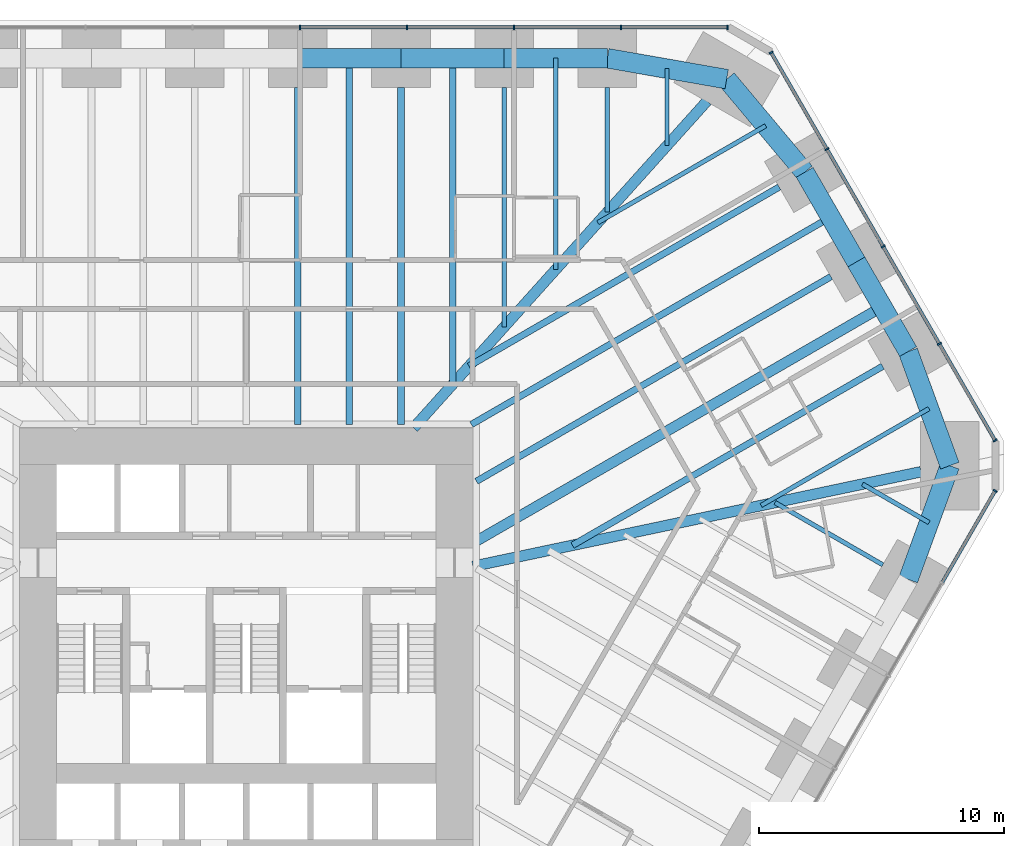
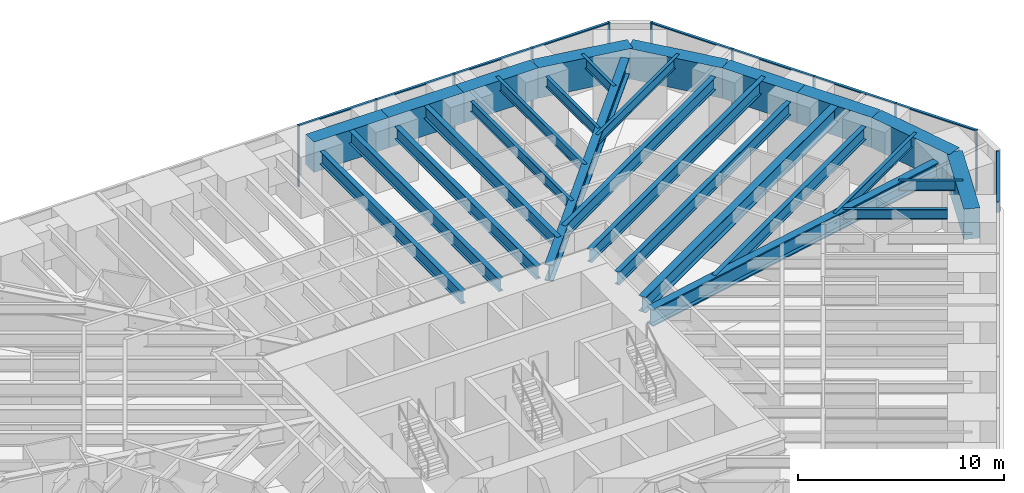
# One storey, part 9 of 17: 28 beams, 20 members, 3 elements without a shape of their own.
"""IFC4 building model written with IfcOpenShell, lengths in metres."""

from ifc_helpers import new_model, si_unit, direction, frame, origin, origin_2d, place, context, subcontext, project, spatial, rectangle, i_section, extrude, material, material_profile, profile_set, type_object, element, aggregate, save


model = new_model("IFC4")

# Units and contexts
model_context = context("Model", 3, precision=1e-05, world=origin(), true_north=direction((0.0, 1.0)))
body_context = subcontext(model_context, "Body", "Model", "MODEL_VIEW")
ifc_project = project(units=[si_unit("LENGTHUNIT", "METRE"), si_unit("AREAUNIT", "SQUARE_METRE"), si_unit("VOLUMEUNIT", "CUBIC_METRE"), si_unit("PLANEANGLEUNIT", "RADIAN"), si_unit("MASSUNIT", "GRAM", prefix="KILO")], contexts=[model_context])

# Site, building, storey
site_placement = place(None, origin())
site = spatial("IfcSite", under=ifc_project, at=site_placement, CompositionType="ELEMENT")
building_placement = place(site_placement, origin())
building = spatial("IfcBuilding", under=site, at=building_placement, Name="Sandreach Pilgrim Tower", CompositionType="ELEMENT")
storey_placement = place(building_placement, frame((0.0, 0.0, 53.39990234375)))
storey = spatial("IfcBuildingStorey", under=building, at=storey_placement, Name="L12", CompositionType="ELEMENT", Elevation=53.39990234375)

# Curtain wall, members
ifc_material_1 = material(Name="Aluminium framed curtain wall", Category="aluminium")
curtain_wall_type = type_object("IfcCurtainWallType", Name="Hostel tower curtain wall", PredefinedType="NOTDEFINED", material=ifc_material_1)
curtain_wall_1_placement = place(storey_placement, origin())
curtain_wall_1 = element("IfcCurtainWall", 1, at=curtain_wall_1_placement, inside=storey, type_object=curtain_wall_type, Name="CW-1 L12 N", PredefinedType="NOTDEFINED")
ifc_material_2 = material(Name="Aluminium extrusion", Category="aluminium")
ifc_material_profile_1 = material_profile(ifc_material_2, rectangle(XDim=0.06494140625, YDim=0.179931640625, at=origin_2d()), Name="CW-1M 65X180")
ifc_profile_set_1 = profile_set([ifc_material_profile_1], Name="Aluminium extrusion")
member_type_1 = type_object("IfcMemberType", Name="CW-1 mullion", PredefinedType="MULLION", material=ifc_profile_set_1)
member_1_placement = place(storey_placement, frame((2.185791015625, 23.94873046875, 0.0), z_axis=(0.0, 0.0, 1.0), x_axis=(1.0, 0.0, 0.0)))
member_1 = element("IfcMember", 2, at=member_1_placement, type_object=member_type_1, Name="CW-1 mullion 6", PredefinedType="MULLION", context=body_context, shape_type="SweptSolid", body=[
    extrude(rectangle(XDim=0.06494140625, YDim=0.179931640625, at=origin_2d()), origin(), (0.0, 0.0, 1.0), 3.64013671875),
])
member_2_placement = place(storey_placement, frame((6.557373046875, 23.94873046875, 0.0), z_axis=(0.0, 0.0, 1.0), x_axis=(1.0, 0.0, 0.0)))
member_2 = element("IfcMember", 3, at=member_2_placement, type_object=member_type_1, Name="CW-1 mullion 7", PredefinedType="MULLION", context=body_context, shape_type="SweptSolid", body=[
    extrude(rectangle(XDim=0.06494140625, YDim=0.179931640625, at=origin_2d()), origin(), (0.0, 0.0, 1.0), 3.64013671875),
])
member_3_placement = place(storey_placement, frame((10.928955078125, 23.94873046875, 0.0), z_axis=(0.0, 0.0, 1.0), x_axis=(1.0, 0.0, 0.0)))
member_3 = element("IfcMember", 4, at=member_3_placement, type_object=member_type_1, Name="CW-1 mullion 8", PredefinedType="MULLION", context=body_context, shape_type="SweptSolid", body=[
    extrude(rectangle(XDim=0.06494140625, YDim=0.179931640625, at=origin_2d()), origin(), (0.0, 0.0, 1.0), 3.64013671875),
])
member_4_placement = place(storey_placement, frame((15.300537109375, 23.94873046875, 0.0), z_axis=(0.0, 0.0, 1.0), x_axis=(1.0, 0.0, 0.0)))
member_4 = element("IfcMember", 5, at=member_4_placement, type_object=member_type_1, Name="CW-1 mullion 9", PredefinedType="MULLION", context=body_context, shape_type="SweptSolid", body=[
    extrude(rectangle(XDim=0.06494140625, YDim=0.179931640625, at=origin_2d()), origin(), (0.0, 0.0, 1.0), 3.64013671875),
])
member_5_placement = place(storey_placement, frame((19.6396484375, 23.94873046875, 0.0), z_axis=(0.0, 0.0, 1.0), x_axis=(1.0, 0.0, 0.0)))
member_5 = element("IfcMember", 6, at=member_5_placement, type_object=member_type_1, Name="CW-1 mullion 10", PredefinedType="MULLION", context=body_context, shape_type="SweptSolid", body=[
    extrude(rectangle(XDim=0.06494140625, YDim=0.179931640625, at=origin_2d()), origin(), (0.0, 0.0, 1.0), 3.64013671875),
])

curtain_wall_2_placement = place(storey_placement, origin())
curtain_wall_2 = element("IfcCurtainWall", 7, at=curtain_wall_2_placement, inside=storey, type_object=curtain_wall_type, Name="CW-1 L12 NE", PredefinedType="NOTDEFINED")
member_6_placement = place(storey_placement, frame((21.42041015625, 22.920654296875, 0.0), z_axis=(0.0, 0.0, 1.0), x_axis=(0.5, -0.866025403784, 0.0)))
member_6 = element("IfcMember", 8, at=member_6_placement, type_object=member_type_1, Name="CW-1 mullion 1", PredefinedType="MULLION", context=body_context, shape_type="SweptSolid", body=[
    extrude(rectangle(XDim=0.06494140625, YDim=0.179931640625, at=origin_2d()), origin(), (0.0, 0.0, 1.0), 3.64013671875),
])
member_7_placement = place(storey_placement, frame((23.697265625, 18.97705078125, 0.0), z_axis=(0.0, 0.0, 1.0), x_axis=(0.5, -0.866025403784, 0.0)))
member_7 = element("IfcMember", 9, at=member_7_placement, type_object=member_type_1, Name="CW-1 mullion 2", PredefinedType="MULLION", context=body_context, shape_type="SweptSolid", body=[
    extrude(rectangle(XDim=0.06494140625, YDim=0.179931640625, at=origin_2d()), origin(), (0.0, 0.0, 1.0), 3.64013671875),
])
member_8_placement = place(storey_placement, frame((25.990234375, 15.00537109375, 0.0), z_axis=(0.0, 0.0, 1.0), x_axis=(0.5, -0.866025403784, 0.0)))
member_8 = element("IfcMember", 10, at=member_8_placement, type_object=member_type_1, Name="CW-1 mullion 3", PredefinedType="MULLION", context=body_context, shape_type="SweptSolid", body=[
    extrude(rectangle(XDim=0.06494140625, YDim=0.179931640625, at=origin_2d()), origin(), (0.0, 0.0, 1.0), 3.64013671875),
])
member_9_placement = place(storey_placement, frame((28.283203125, 11.03369140625, 0.0), z_axis=(0.0, 0.0, 1.0), x_axis=(0.5, -0.866025403784, 0.0)))
member_9 = element("IfcMember", 11, at=member_9_placement, type_object=member_type_1, Name="CW-1 mullion 4", PredefinedType="MULLION", context=body_context, shape_type="SweptSolid", body=[
    extrude(rectangle(XDim=0.06494140625, YDim=0.179931640625, at=origin_2d()), origin(), (0.0, 0.0, 1.0), 3.64013671875),
])
member_10_placement = place(storey_placement, frame((30.56005859375, 7.09033203125, 0.0), z_axis=(0.0, 0.0, 1.0), x_axis=(0.5, -0.866025403784, 0.0)))
member_10 = element("IfcMember", 12, at=member_10_placement, type_object=member_type_1, Name="CW-1 mullion 5", PredefinedType="MULLION", context=body_context, shape_type="SweptSolid", body=[
    extrude(rectangle(XDim=0.06494140625, YDim=0.179931640625, at=origin_2d()), origin(), (0.0, 0.0, 1.0), 3.64013671875),
])

# Curtain wall, member
curtain_wall_3_placement = place(storey_placement, origin())
curtain_wall_3 = element("IfcCurtainWall", 13, at=curtain_wall_3_placement, inside=storey, type_object=curtain_wall_type, Name="CW-1 L12 SE", PredefinedType="NOTDEFINED")
member_11_placement = place(storey_placement, frame((30.56005859375, 5.033935546875, 0.0), z_axis=(0.0, 0.0, 1.0), x_axis=(-0.5, -0.866025403784, 0.0)))
member_11 = element("IfcMember", 14, at=member_11_placement, type_object=member_type_1, Name="CW-1 mullion 1", PredefinedType="MULLION", context=body_context, shape_type="SweptSolid", body=[
    extrude(rectangle(XDim=0.06494140625, YDim=0.179931640625, at=origin_2d()), origin(), (0.0, 0.0, 1.0), 3.64013671875),
])

# Member
ifc_material_3 = material(Name="Aluminium extrusion", Category="aluminium")
ifc_material_profile_2 = material_profile(ifc_material_3, rectangle(XDim=0.139892578125, YDim=0.070068359375, at=origin_2d()), Name="CW-1T 140X70")
ifc_profile_set_2 = profile_set([ifc_material_profile_2], Name="Aluminium extrusion")
member_type_2 = type_object("IfcMemberType", Name="CW-1 transom", PredefinedType="USERDEFINED", material=ifc_profile_set_2)
member_12_placement = place(storey_placement, frame((2.21826171875, 23.94873046875, 3.60498046875), z_axis=(1.0, 0.0, 0.0), x_axis=(0.0, 1.0, 0.0)))
member_12 = element("IfcMember", 15, at=member_12_placement, type_object=member_type_2, Name="CW-1 head transom 6", ObjectType="TRANSOM", PredefinedType="USERDEFINED", context=body_context, shape_type="SweptSolid", body=[
    extrude(rectangle(XDim=0.139892578125, YDim=0.070068359375, at=origin_2d()), origin(), (0.0, 0.0, 1.0), 4.306640625),
])

member_13_placement = place(storey_placement, frame((6.58984375, 23.94873046875, 3.60498046875), z_axis=(1.0, 0.0, 0.0), x_axis=(0.0, 1.0, 0.0)))
member_13 = element("IfcMember", 16, at=member_13_placement, type_object=member_type_2, Name="CW-1 head transom 7", ObjectType="TRANSOM", PredefinedType="USERDEFINED", context=body_context, shape_type="SweptSolid", body=[
    extrude(rectangle(XDim=0.139892578125, YDim=0.070068359375, at=origin_2d()), origin(), (0.0, 0.0, 1.0), 4.306640625),
])

member_14_placement = place(storey_placement, frame((10.96142578125, 23.94873046875, 3.60498046875), z_axis=(1.0, 0.0, 0.0), x_axis=(0.0, 1.0, 0.0)))
member_14 = element("IfcMember", 17, at=member_14_placement, type_object=member_type_2, Name="CW-1 head transom 8", ObjectType="TRANSOM", PredefinedType="USERDEFINED", context=body_context, shape_type="SweptSolid", body=[
    extrude(rectangle(XDim=0.139892578125, YDim=0.070068359375, at=origin_2d()), origin(), (0.0, 0.0, 1.0), 4.306640625),
])

member_15_placement = place(storey_placement, frame((15.3330078125, 23.94873046875, 3.60498046875), z_axis=(1.0, 0.0, 0.0), x_axis=(0.0, 1.0, 0.0)))
member_15 = element("IfcMember", 18, at=member_15_placement, type_object=member_type_2, Name="CW-1 head transom 9", ObjectType="TRANSOM", PredefinedType="USERDEFINED", context=body_context, shape_type="SweptSolid", body=[
    extrude(rectangle(XDim=0.139892578125, YDim=0.070068359375, at=origin_2d()), origin(), (0.0, 0.0, 1.0), 4.274169921875),
])

aggregate(curtain_wall_1, [member_1, member_2, member_3, member_4, member_5, member_12, member_13, member_14, member_15])

member_16_placement = place(storey_placement, frame((21.4365234375, 22.892333984375, 3.60498046875), z_axis=(0.500017500808, -0.866015299452, 0.0), x_axis=(0.866015299452, 0.500017500808, 0.0)))
member_16 = element("IfcMember", 19, at=member_16_placement, type_object=member_type_2, Name="CW-1 head transom 1", ObjectType="TRANSOM", PredefinedType="USERDEFINED", context=body_context, shape_type="SweptSolid", body=[
    extrude(rectangle(XDim=0.139892578125, YDim=0.070068359375, at=origin_2d()), origin(), (0.0, 0.0, 1.0), 4.488525390625),
])

member_17_placement = place(storey_placement, frame((23.71337890625, 18.948974609375, 3.60498046875), z_axis=(0.500001366228, -0.866024614991, 0.0), x_axis=(0.866024614991, 0.500001366228, 0.0)))
member_17 = element("IfcMember", 20, at=member_17_placement, type_object=member_type_2, Name="CW-1 head transom 2", ObjectType="TRANSOM", PredefinedType="USERDEFINED", context=body_context, shape_type="SweptSolid", body=[
    extrude(rectangle(XDim=0.139892578125, YDim=0.070068359375, at=origin_2d()), origin(), (0.0, 0.0, 1.0), 4.52099609375),
])

member_18_placement = place(storey_placement, frame((26.00634765625, 14.977294921875, 3.60498046875), z_axis=(0.500001366228, -0.866024614991, 0.0), x_axis=(0.866024614991, 0.500001366228, 0.0)))
member_18 = element("IfcMember", 21, at=member_18_placement, type_object=member_type_2, Name="CW-1 head transom 3", ObjectType="TRANSOM", PredefinedType="USERDEFINED", context=body_context, shape_type="SweptSolid", body=[
    extrude(rectangle(XDim=0.139892578125, YDim=0.070068359375, at=origin_2d()), origin(), (0.0, 0.0, 1.0), 4.52099609375),
])

member_19_placement = place(storey_placement, frame((28.299560546875, 11.005615234375, 3.60498046875), z_axis=(0.499976706761, -0.866038851724, 0.0), x_axis=(0.866038851724, 0.499976706761, 0.0)))
member_19 = element("IfcMember", 22, at=member_19_placement, type_object=member_type_2, Name="CW-1 head transom 4", ObjectType="TRANSOM", PredefinedType="USERDEFINED", context=body_context, shape_type="SweptSolid", body=[
    extrude(rectangle(XDim=0.139892578125, YDim=0.070068359375, at=origin_2d()), origin(), (0.0, 0.0, 1.0), 4.488525390625),
])

aggregate(curtain_wall_2, [member_6, member_7, member_8, member_9, member_10, member_16, member_17, member_18, member_19])

member_20_placement = place(storey_placement, frame((30.543701171875, 5.005859375, 3.60498046875), z_axis=(-0.499991113271, -0.866030534479, 0.0), x_axis=(0.866030534479, -0.499991113271, 0.0)))
member_20 = element("IfcMember", 23, at=member_20_placement, type_object=member_type_2, Name="CW-1 head transom 1", ObjectType="TRANSOM", PredefinedType="USERDEFINED", context=body_context, shape_type="SweptSolid", body=[
    extrude(rectangle(XDim=0.139892578125, YDim=0.070068359375, at=origin_2d()), origin(), (0.0, 0.0, 1.0), 4.27392578125),
])

aggregate(curtain_wall_3, [member_11, member_20])

# Beams
ifc_material_4 = material(Name="Steel ASTM A992 Grade 50", Category="steel")
ifc_material_profile_3 = material_profile(ifc_material_4, i_section(OverallWidth=0.431884765625, OverallDepth=0.988037109375, WebThickness=0.034423828125, FlangeThickness=0.06201171875, at=origin_2d()), Name="W36X441")
ifc_profile_set_3 = profile_set([ifc_material_profile_3], Name="Steel ASTM A992 Grade 50")
beam_type_1 = type_object("IfcBeamType", Name="Corner girder W36X441", PredefinedType="BEAM", material=ifc_profile_set_3)
beam_1_placement = place(storey_placement, frame((18.8046875, 20.94189453125, 3.14599609375), z_axis=(-0.668127834846, -0.74404650144, 0.0), x_axis=(0.74404650144, -0.668127834846, 0.0)))
element("IfcBeam", 24, at=beam_1_placement, inside=storey, type_object=beam_type_1, Name="BM L12 CG09", PredefinedType="BEAM", context=body_context, shape_type="SweptSolid", body=[
    extrude(i_section(OverallWidth=0.431884765625, OverallDepth=0.988037109375, WebThickness=0.034423828125, FlangeThickness=0.06201171875, at=origin_2d()), origin(), (0.0, 0.0, 1.0), 17.931396484375),
])
ifc_material_5 = material(Name="Steel ASTM A992 Grade 50", Category="steel")
ifc_material_profile_4 = material_profile(ifc_material_5, i_section(OverallWidth=0.436767578125, OverallDepth=1.010986328125, WebThickness=0.040771484375, FlangeThickness=0.073974609375, at=origin_2d()), Name="W36X529")
ifc_profile_set_4 = profile_set([ifc_material_profile_4], Name="Steel ASTM A992 Grade 50")
beam_type_2 = type_object("IfcBeamType", Name="Corner girder W36X529", PredefinedType="BEAM", material=ifc_profile_set_4)
beam_2_placement = place(storey_placement, frame((27.53857421875, 5.814208984375, 3.134521484375), z_axis=(-0.978429884383, -0.206579189045, 0.0), x_axis=(0.206579189045, -0.978429884383, 0.0)))
element("IfcBeam", 25, at=beam_2_placement, inside=storey, type_object=beam_type_2, Name="BM L12 CG13", PredefinedType="BEAM", context=body_context, shape_type="SweptSolid", body=[
    extrude(i_section(OverallWidth=0.436767578125, OverallDepth=1.010986328125, WebThickness=0.040771484375, FlangeThickness=0.073974609375, at=origin_2d()), origin(), (0.0, 0.0, 1.0), 18.691650390625),
])
ifc_material_6 = material(Name="Steel ASTM A992 Grade 50", Category="steel")
ifc_material_profile_5 = material_profile(ifc_material_6, i_section(OverallWidth=0.1787109375, OverallDepth=0.60205078125, WebThickness=0.010986328125, FlangeThickness=0.014892578125, at=origin_2d()), Name="W24X62")
ifc_profile_set_5 = profile_set([ifc_material_profile_5], Name="Steel ASTM A992 Grade 50")
beam_type_3 = type_object("IfcBeamType", Name="Floor beam W24X62", PredefinedType="BEAM", material=ifc_profile_set_5)
beam_3_placement = place(storey_placement, frame((10.52490234375, 21.48876953125, 3.339111328125), z_axis=(0.0, -1.0, 0.0), x_axis=(1.0, 0.0, 0.0)))
element("IfcBeam", 26, at=beam_3_placement, inside=storey, type_object=beam_type_3, Name="BM L12 F07", PredefinedType="BEAM", context=body_context, shape_type="SweptSolid", body=[
    extrude(i_section(OverallWidth=0.1787109375, OverallDepth=0.60205078125, WebThickness=0.010986328125, FlangeThickness=0.014892578125, at=origin_2d()), origin(), (0.0, 0.0, 1.0), 9.767822265625),
])
beam_4_placement = place(storey_placement, frame((14.734619140625, 21.48876953125, 3.339111328125), z_axis=(0.0, -1.0, 0.0), x_axis=(1.0, 0.0, 0.0)))
element("IfcBeam", 27, at=beam_4_placement, inside=storey, type_object=beam_type_3, Name="BM L12 F08", PredefinedType="BEAM", context=body_context, shape_type="SweptSolid", body=[
    extrude(i_section(OverallWidth=0.1787109375, OverallDepth=0.60205078125, WebThickness=0.010986328125, FlangeThickness=0.014892578125, at=origin_2d()), origin(), (0.0, 0.0, 1.0), 5.079345703125),
])
beam_5_placement = place(storey_placement, frame((25.97705078125, 2.016357421875, 3.339111328125), z_axis=(-0.866027897259, 0.49999568115, 0.0), x_axis=(-0.49999568115, -0.866027897259, 0.0)))
element("IfcBeam", 28, at=beam_5_placement, inside=storey, type_object=beam_type_3, Name="BM L12 F14", PredefinedType="BEAM", context=body_context, shape_type="SweptSolid", body=[
    extrude(i_section(OverallWidth=0.1787109375, OverallDepth=0.60205078125, WebThickness=0.010986328125, FlangeThickness=0.014892578125, at=origin_2d()), origin(), (0.0, 0.0, 1.0), 5.0791015625),
])
beam_6_placement = place(storey_placement, frame((12.629638671875, 22.688720703125, 3.339111328125), z_axis=(0.0, -1.0, 0.0), x_axis=(1.0, 0.0, 0.0)))
element("IfcBeam", 29, at=beam_6_placement, inside=storey, type_object=beam_type_3, Name="BM L12 FM07", PredefinedType="BEAM", context=body_context, shape_type="SweptSolid", body=[
    extrude(i_section(OverallWidth=0.1787109375, OverallDepth=0.60205078125, WebThickness=0.010986328125, FlangeThickness=0.014892578125, at=origin_2d()), origin(), (0.0, 0.0, 1.0), 8.62353515625),
])
beam_7_placement = place(storey_placement, frame((17.17041015625, 22.26171875, 3.339111328125), z_axis=(0.0, -1.0, 0.0), x_axis=(1.0, 0.0, 0.0)))
element("IfcBeam", 30, at=beam_7_placement, inside=storey, type_object=beam_type_3, Name="BM L12 FM08", PredefinedType="BEAM", context=body_context, shape_type="SweptSolid", body=[
    extrude(i_section(OverallWidth=0.1787109375, OverallDepth=0.60205078125, WebThickness=0.010986328125, FlangeThickness=0.014892578125, at=origin_2d()), origin(), (0.0, 0.0, 1.0), 3.1396484375),
])
for number, where, z_axis, x_axis, name in (
    (31, (21.197021484375, 19.933349609375, 3.339111328125), (-0.866028778003, -0.499994155636, 0.0), (0.499994155636, -0.866028778003, 0.0), "BM L12 FM09"),
    (32, (27.861328125, 8.390380859375, 3.339111328125), (-0.866028778003, -0.499994155636, 0.0), (0.499994155636, -0.866028778003, 0.0), "BM L12 FM12"),
):
    element("IfcBeam", number, at=place(storey_placement, frame(where, z_axis=z_axis, x_axis=x_axis)), inside=storey, type_object=beam_type_3, Name=name, PredefinedType="BEAM", context=body_context, shape_type="SweptSolid", body=[
        extrude(i_section(OverallWidth=0.1787109375, OverallDepth=0.60205078125, WebThickness=0.010986328125, FlangeThickness=0.014892578125, at=origin_2d()), origin(), (0.0, 0.0, 1.0), 7.90771484375),
    ])
beam_8_placement = place(storey_placement, frame((27.864501953125, 3.7392578125, 3.339111328125), z_axis=(-0.866023718453, 0.500002919068, 0.0), x_axis=(-0.500002919068, -0.866023718453, 0.0)))
element("IfcBeam", 33, at=beam_8_placement, inside=storey, type_object=beam_type_3, Name="BM L12 FM13", PredefinedType="BEAM", context=body_context, shape_type="SweptSolid", body=[
    extrude(i_section(OverallWidth=0.1787109375, OverallDepth=0.60205078125, WebThickness=0.010986328125, FlangeThickness=0.014892578125, at=origin_2d()), origin(), (0.0, 0.0, 1.0), 3.1396484375),
])
ifc_material_7 = material(Name="Steel ASTM A992 Grade 50", Category="steel")
ifc_material_profile_6 = material_profile(ifc_material_7, i_section(OverallWidth=0.2666015625, OverallDepth=0.761962890625, WebThickness=0.014404296875, FlangeThickness=0.021484375, at=origin_2d()), Name="W30X116")
ifc_profile_set_6 = profile_set([ifc_material_profile_6], Name="Steel ASTM A992 Grade 50")
beam_type_4 = type_object("IfcBeamType", Name="Floor beam W30X116", PredefinedType="BEAM", material=ifc_profile_set_6)
for number, where, z_axis, x_axis, name in (
    (34, (2.10498046875, 21.48876953125, 3.259033203125), (0.0, -1.0, 0.0), (1.0, 0.0, 0.0), "BM L12 F05"),
    (35, (6.31494140625, 21.48876953125, 3.259033203125), (0.0, -1.0, 0.0), (1.0, 0.0, 0.0), "BM L12 F06"),
):
    element("IfcBeam", number, at=place(storey_placement, frame(where, z_axis=z_axis, x_axis=x_axis)), inside=storey, type_object=beam_type_4, Name=name, PredefinedType="BEAM", context=body_context, shape_type="SweptSolid", body=[
        extrude(i_section(OverallWidth=0.2666015625, OverallDepth=0.761962890625, WebThickness=0.014404296875, FlangeThickness=0.021484375, at=origin_2d()), origin(), (0.0, 0.0, 1.0), 13.745361328125),
    ])
for number, where, z_axis, x_axis, name in (
    (36, (21.74853515625, 17.43212890625, 3.259033203125), (-0.866020355572, -0.500008743658, 0.0), (0.500008743658, -0.866020355572, 0.0), "BM L12 F10"),
    (37, (25.970947265625, 10.118896484375, 3.259033203125), (-0.866020355572, -0.500008743658, 0.0), (0.500008743658, -0.866020355572, 0.0), "BM L12 F12"),
):
    element("IfcBeam", number, at=place(storey_placement, frame(where, z_axis=z_axis, x_axis=x_axis)), inside=storey, type_object=beam_type_4, Name=name, PredefinedType="BEAM", context=body_context, shape_type="SweptSolid", body=[
        extrude(i_section(OverallWidth=0.2666015625, OverallDepth=0.761962890625, WebThickness=0.014404296875, FlangeThickness=0.021484375, at=origin_2d()), origin(), (0.0, 0.0, 1.0), 14.615966796875),
    ])
beam_9_placement = place(storey_placement, frame((4.2099609375, 22.688720703125, 3.259033203125), z_axis=(0.0, -1.0, 0.0), x_axis=(1.0, 0.0, 0.0)))
element("IfcBeam", 38, at=beam_9_placement, inside=storey, type_object=beam_type_4, Name="BM L12 FM05", PredefinedType="BEAM", context=body_context, shape_type="SweptSolid", body=[
    extrude(i_section(OverallWidth=0.2666015625, OverallDepth=0.761962890625, WebThickness=0.014404296875, FlangeThickness=0.021484375, at=origin_2d()), origin(), (0.0, 0.0, 1.0), 14.9453125),
])
beam_10_placement = place(storey_placement, frame((8.419921875, 22.688720703125, 3.259033203125), z_axis=(0.0, -1.0, 0.0), x_axis=(1.0, 0.0, 0.0)))
element("IfcBeam", 39, at=beam_10_placement, inside=storey, type_object=beam_type_4, Name="BM L12 FM06", PredefinedType="BEAM", context=body_context, shape_type="SweptSolid", body=[
    extrude(i_section(OverallWidth=0.2666015625, OverallDepth=0.761962890625, WebThickness=0.014404296875, FlangeThickness=0.021484375, at=origin_2d()), origin(), (0.0, 0.0, 1.0), 13.311767578125),
])
ifc_material_8 = material(Name="Steel ASTM A992 Grade 50", Category="steel")
ifc_material_profile_7 = material_profile(ifc_material_8, i_section(OverallWidth=0.2666015625, OverallDepth=0.77978515625, WebThickness=0.0166015625, FlangeThickness=0.030029296875, at=origin_2d()), Name="W30X148")
ifc_profile_set_7 = profile_set([ifc_material_profile_7], Name="Steel ASTM A992 Grade 50")
beam_type_5 = type_object("IfcBeamType", Name="Floor beam W30X148", PredefinedType="BEAM", material=ifc_profile_set_7)
beam_11_placement = place(storey_placement, frame((23.85986328125, 13.775390625, 3.250244140625), z_axis=(-0.866031037473, -0.499990242038, 0.0), x_axis=(0.499990242038, -0.866031037473, 0.0)))
element("IfcBeam", 40, at=beam_11_placement, inside=storey, type_object=beam_type_5, Name="BM L12 F11", PredefinedType="BEAM", context=body_context, shape_type="SweptSolid", body=[
    extrude(i_section(OverallWidth=0.2666015625, OverallDepth=0.77978515625, WebThickness=0.0166015625, FlangeThickness=0.030029296875, at=origin_2d()), origin(), (0.0, 0.0, 1.0), 16.704345703125),
])
beam_12_placement = place(storey_placement, frame((23.843505859375, 16.203857421875, 3.250244140625), z_axis=(-0.866027248123, -0.499996805499, 0.0), x_axis=(0.499996805499, -0.866027248123, 0.0)))
element("IfcBeam", 41, at=beam_12_placement, inside=storey, type_object=beam_type_5, Name="BM L12 FM10", PredefinedType="BEAM", context=body_context, shape_type="SweptSolid", body=[
    extrude(i_section(OverallWidth=0.2666015625, OverallDepth=0.77978515625, WebThickness=0.0166015625, FlangeThickness=0.030029296875, at=origin_2d()), origin(), (0.0, 0.0, 1.0), 16.9208984375),
])
ifc_material_9 = material(Name="Steel ASTM A992 Grade 50", Category="steel")
ifc_material_profile_8 = material_profile(ifc_material_9, i_section(OverallWidth=0.419189453125, OverallDepth=0.927001953125, WebThickness=0.019287109375, FlangeThickness=0.031982421875, at=origin_2d()), Name="W36X231")
ifc_profile_set_8 = profile_set([ifc_material_profile_8], Name="Steel ASTM A992 Grade 50")
beam_type_6 = type_object("IfcBeamType", Name="Floor beam W36X231", PredefinedType="BEAM", material=ifc_profile_set_8)
beam_13_placement = place(storey_placement, frame((25.95458984375, 12.547119140625, 3.176513671875), z_axis=(-0.866028474707, -0.499994680968, 0.0), x_axis=(0.499994680968, -0.866028474707, 0.0)))
element("IfcBeam", 42, at=beam_13_placement, inside=storey, type_object=beam_type_6, Name="BM L12 FM11", PredefinedType="BEAM", context=body_context, shape_type="SweptSolid", body=[
    extrude(i_section(OverallWidth=0.419189453125, OverallDepth=0.927001953125, WebThickness=0.019287109375, FlangeThickness=0.031982421875, at=origin_2d()), origin(), (0.0, 0.0, 1.0), 19.123291015625),
])
ifc_material_10 = material(Name="Concrete 10000 psi", Category="concrete")
ifc_material_profile_9 = material_profile(ifc_material_10, rectangle(XDim=0.800048828125, YDim=1.800048828125, at=origin_2d()), Name="RC800X1800")
ifc_profile_set_9 = profile_set([ifc_material_profile_9], Name="Concrete 10000 psi")
beam_type_7 = type_object("IfcBeamType", Name="Spandrel beam RC800X1800", PredefinedType="SPANDREL", material=ifc_profile_set_9)
for number, where, z_axis, x_axis, name in (
    (43, (2.10498046875, 22.688720703125, 2.739990234375), (1.0, 0.0, 0.0), (0.0, 1.0, 0.0), "BM L12 SP05"),
    (44, (6.31494140625, 22.688720703125, 2.739990234375), (1.0, 0.0, 0.0), (0.0, 1.0, 0.0), "BM L12 SP06"),
):
    element("IfcBeam", number, at=place(storey_placement, frame(where, z_axis=z_axis, x_axis=x_axis)), inside=storey, type_object=beam_type_7, Name=name, PredefinedType="SPANDREL", context=body_context, shape_type="SweptSolid", body=[
        extrude(rectangle(XDim=0.800048828125, YDim=1.800048828125, at=origin_2d()), origin(), (0.0, 0.0, 1.0), 4.2099609375),
    ])
beam_14_placement = place(storey_placement, frame((10.52490234375, 22.688720703125, 2.739990234375), z_axis=(1.0, 0.0, 0.0), x_axis=(0.0, 1.0, 0.0)))
element("IfcBeam", 45, at=beam_14_placement, inside=storey, type_object=beam_type_7, Name="BM L12 SP07", PredefinedType="SPANDREL", context=body_context, shape_type="SweptSolid", body=[
    extrude(rectangle(XDim=0.800048828125, YDim=1.800048828125, at=origin_2d()), origin(), (0.0, 0.0, 1.0), 4.209716796875),
])
beam_15_placement = place(storey_placement, frame((14.734619140625, 22.688720703125, 2.739990234375), z_axis=(0.984981186582, -0.172661698355, 0.0), x_axis=(0.172661698355, 0.984981186582, 0.0)))
element("IfcBeam", 46, at=beam_15_placement, inside=storey, type_object=beam_type_7, Name="BM L12 SP08", PredefinedType="SPANDREL", context=body_context, shape_type="SweptSolid", body=[
    extrude(rectangle(XDim=0.800048828125, YDim=1.800048828125, at=origin_2d()), origin(), (0.0, 0.0, 1.0), 4.946044921875),
])
beam_16_placement = place(storey_placement, frame((19.6064453125, 21.834716796875, 2.739990234375), z_axis=(0.641665295114, -0.766984777584, 0.0), x_axis=(0.766984777584, 0.641665295114, 0.0)))
element("IfcBeam", 47, at=beam_16_placement, inside=storey, type_object=beam_type_7, Name="BM L12 SP09", PredefinedType="SPANDREL", context=body_context, shape_type="SweptSolid", body=[
    extrude(rectangle(XDim=0.800048828125, YDim=1.800048828125, at=origin_2d()), origin(), (0.0, 0.0, 1.0), 4.9580078125),
])
beam_17_placement = place(storey_placement, frame((22.787841796875, 18.031982421875, 2.739990234375), z_axis=(0.500001084989, -0.866024777365, 0.0), x_axis=(0.866024777365, 0.500001084989, 0.0)))
element("IfcBeam", 48, at=beam_17_placement, inside=storey, type_object=beam_type_7, Name="BM L12 SP10", PredefinedType="SPANDREL", context=body_context, shape_type="SweptSolid", body=[
    extrude(rectangle(XDim=0.800048828125, YDim=1.800048828125, at=origin_2d()), origin(), (0.0, 0.0, 1.0), 4.22216796875),
])
beam_18_placement = place(storey_placement, frame((24.89892578125, 14.37548828125, 2.739990234375), z_axis=(0.500019412692, -0.866014195571, 0.0), x_axis=(0.866014195571, 0.500019412692, 0.0)))
element("IfcBeam", 49, at=beam_18_placement, inside=storey, type_object=beam_type_7, Name="BM L12 SP11", PredefinedType="SPANDREL", context=body_context, shape_type="SweptSolid", body=[
    extrude(rectangle(XDim=0.800048828125, YDim=1.800048828125, at=origin_2d()), origin(), (0.0, 0.0, 1.0), 4.222412109375),
])
beam_19_placement = place(storey_placement, frame((27.01025390625, 10.71875, 2.739990234375), z_axis=(0.343367552823, -0.939201109278, 0.0), x_axis=(0.939201109278, 0.343367552823, 0.0)))
element("IfcBeam", 50, at=beam_19_placement, inside=storey, type_object=beam_type_7, Name="BM L12 SP12", PredefinedType="SPANDREL", context=body_context, shape_type="SweptSolid", body=[
    extrude(rectangle(XDim=0.800048828125, YDim=1.800048828125, at=origin_2d()), origin(), (0.0, 0.0, 1.0), 4.9580078125),
])
beam_20_placement = place(storey_placement, frame((28.712646484375, 6.062255859375, 2.739990234375), z_axis=(-0.342963480301, -0.939348737786, 0.0), x_axis=(0.939348737786, -0.342963480301, 0.0)))
element("IfcBeam", 51, at=beam_20_placement, inside=storey, type_object=beam_type_7, Name="BM L12 SP13", PredefinedType="SPANDREL", context=body_context, shape_type="SweptSolid", body=[
    extrude(rectangle(XDim=0.800048828125, YDim=1.800048828125, at=origin_2d()), origin(), (0.0, 0.0, 1.0), 4.946044921875),
])

save(model, "model.ifc")
